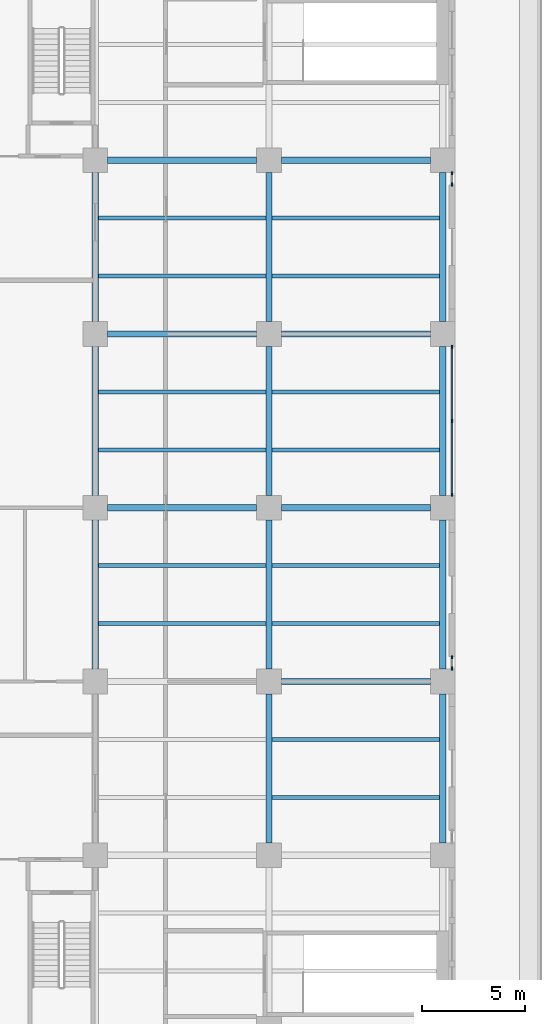
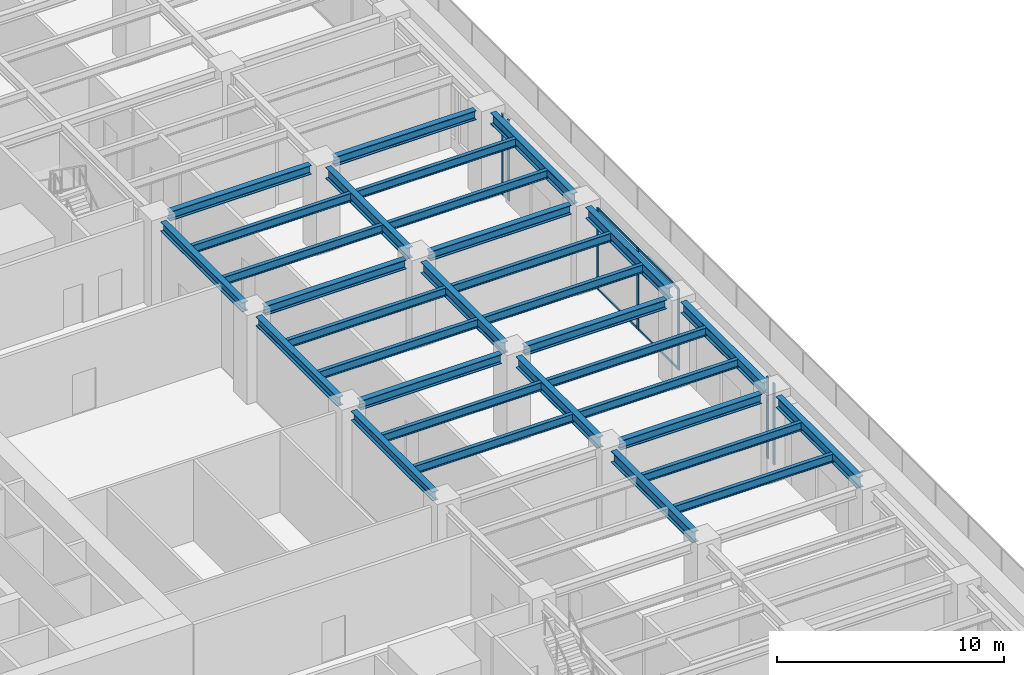
# One storey, part 10 of 53: 32 beams, 11 members, 3 elements without a shape of their own.
"""IFC4 building model written with IfcOpenShell, lengths in metres."""

from ifc_helpers import new_model, si_unit, direction, frame, origin, origin_2d, place, context, subcontext, project, spatial, rectangle, i_section, extrude, material, material_profile, profile_set, type_object, element, aggregate, save


model = new_model("IFC4")

# Units and contexts
model_context = context("Model", 3, precision=1e-05, world=origin(), true_north=direction((0.0, 1.0)))
body_context = subcontext(model_context, "Body", "Model", "MODEL_VIEW")
ifc_project = project(units=[si_unit("LENGTHUNIT", "METRE"), si_unit("AREAUNIT", "SQUARE_METRE"), si_unit("VOLUMEUNIT", "CUBIC_METRE"), si_unit("PLANEANGLEUNIT", "RADIAN"), si_unit("MASSUNIT", "GRAM", prefix="KILO")], contexts=[model_context])

# Site, building, storey
site_placement = place(None, origin())
site = spatial("IfcSite", under=ifc_project, at=site_placement, CompositionType="ELEMENT")
building_placement = place(site_placement, origin())
building = spatial("IfcBuilding", under=site, at=building_placement, Name="Khepri Terraces", CompositionType="ELEMENT")
storey_placement = place(building_placement, frame((0.0, 0.0, 7.199951171875)))
storey = spatial("IfcBuildingStorey", under=building, at=storey_placement, Name="L01", CompositionType="ELEMENT", Elevation=7.199951171875)

# Curtain wall, members
ifc_material_1 = material(Name="Anodised aluminium bronze curtain wall", Category="aluminium")
curtain_wall_type = type_object("IfcCurtainWallType", Name="CW-SYS2-PODIUM", PredefinedType="NOTDEFINED", material=ifc_material_1)
curtain_wall_1_placement = place(storey_placement, origin())
curtain_wall_1 = element("IfcCurtainWall", 1, at=curtain_wall_1_placement, inside=storey, type_object=curtain_wall_type, Name="Curtain wall CW2 L01 E", PredefinedType="NOTDEFINED")
ifc_material_2 = material(Name="Anodised aluminium bronze", Category="aluminium")
ifc_material_profile_1 = material_profile(ifc_material_2, rectangle(XDim=0.06005859375, YDim=0.159912109375, at=origin_2d()), Name="Anodised aluminium bronze", Category="aluminium")
ifc_profile_set_1 = profile_set([ifc_material_profile_1], Name="Anodised aluminium bronze")
member_type_1 = type_object("IfcMemberType", Name="CW-MULLION-60x160", PredefinedType="MULLION", material=ifc_profile_set_1)
member_1_placement = place(storey_placement, frame((42.449951171875, -7.77001953125, 0.0), z_axis=(0.0, 0.0, 1.0), x_axis=(-1.0, 0.0, 0.0)))
member_1 = element("IfcMember", 2, at=member_1_placement, type_object=member_type_1, Name="CW2 mullion 1", PredefinedType="MULLION", context=body_context, shape_type="SweptSolid", body=[
    extrude(rectangle(XDim=0.06005859375, YDim=0.159912109375, at=origin_2d()), origin(), (0.0, 0.0, 1.0), 4.380126953125),
])
member_2_placement = place(storey_placement, frame((42.449951171875, -7.22998046875, 0.0), z_axis=(0.0, 0.0, 1.0), x_axis=(-1.0, 0.0, 0.0)))
member_2 = element("IfcMember", 3, at=member_2_placement, type_object=member_type_1, Name="CW2 mullion 2", PredefinedType="MULLION", context=body_context, shape_type="SweptSolid", body=[
    extrude(rectangle(XDim=0.06005859375, YDim=0.159912109375, at=origin_2d()), origin(), (0.0, 0.0, 1.0), 4.380126953125),
])
aggregate(curtain_wall_1, [member_1, member_2])

curtain_wall_2_placement = place(storey_placement, origin())
curtain_wall_2 = element("IfcCurtainWall", 4, at=curtain_wall_2_placement, inside=storey, type_object=curtain_wall_type, Name="Curtain wall CW2 L01 E", PredefinedType="NOTDEFINED")
member_3_placement = place(storey_placement, frame((42.449951171875, 0.6298828125, 0.0), z_axis=(0.0, 0.0, 1.0), x_axis=(-1.0, 0.0, 0.0)))
member_3 = element("IfcMember", 5, at=member_3_placement, type_object=member_type_1, Name="CW2 mullion 1", PredefinedType="MULLION", context=body_context, shape_type="SweptSolid", body=[
    extrude(rectangle(XDim=0.06005859375, YDim=0.159912109375, at=origin_2d()), origin(), (0.0, 0.0, 1.0), 4.380126953125),
])
member_4_placement = place(storey_placement, frame((42.449951171875, 4.199951171875, 0.0), z_axis=(0.0, 0.0, 1.0), x_axis=(-1.0, 0.0, 0.0)))
member_4 = element("IfcMember", 6, at=member_4_placement, type_object=member_type_1, Name="CW2 mullion 2", PredefinedType="MULLION", context=body_context, shape_type="SweptSolid", body=[
    extrude(rectangle(XDim=0.06005859375, YDim=0.159912109375, at=origin_2d()), origin(), (0.0, 0.0, 1.0), 4.380126953125),
])
member_5_placement = place(storey_placement, frame((42.449951171875, 7.77001953125, 0.0), z_axis=(0.0, 0.0, 1.0), x_axis=(-1.0, 0.0, 0.0)))
member_5 = element("IfcMember", 7, at=member_5_placement, type_object=member_type_1, Name="CW2 mullion 3", PredefinedType="MULLION", context=body_context, shape_type="SweptSolid", body=[
    extrude(rectangle(XDim=0.06005859375, YDim=0.159912109375, at=origin_2d()), origin(), (0.0, 0.0, 1.0), 4.380126953125),
])

curtain_wall_3_placement = place(storey_placement, origin())
curtain_wall_3 = element("IfcCurtainWall", 8, at=curtain_wall_3_placement, inside=storey, type_object=curtain_wall_type, Name="Curtain wall CW2 L01 E", PredefinedType="NOTDEFINED")
member_6_placement = place(storey_placement, frame((42.449951171875, 15.6298828125, 0.0), z_axis=(0.0, 0.0, 1.0), x_axis=(-1.0, 0.0, 0.0)))
member_6 = element("IfcMember", 9, at=member_6_placement, type_object=member_type_1, Name="CW2 mullion 1", PredefinedType="MULLION", context=body_context, shape_type="SweptSolid", body=[
    extrude(rectangle(XDim=0.06005859375, YDim=0.159912109375, at=origin_2d()), origin(), (0.0, 0.0, 1.0), 4.380126953125),
])
member_7_placement = place(storey_placement, frame((42.449951171875, 16.169921875, 0.0), z_axis=(0.0, 0.0, 1.0), x_axis=(-1.0, 0.0, 0.0)))
member_7 = element("IfcMember", 10, at=member_7_placement, type_object=member_type_1, Name="CW2 mullion 2", PredefinedType="MULLION", context=body_context, shape_type="SweptSolid", body=[
    extrude(rectangle(XDim=0.06005859375, YDim=0.159912109375, at=origin_2d()), origin(), (0.0, 0.0, 1.0), 4.380126953125),
])
aggregate(curtain_wall_3, [member_6, member_7])

# Member
ifc_material_profile_2 = material_profile(ifc_material_2, rectangle(XDim=0.06005859375, YDim=0.1201171875, at=origin_2d()), Name="Anodised aluminium bronze", Category="aluminium")
ifc_profile_set_2 = profile_set([ifc_material_profile_2], Name="Anodised aluminium bronze")
member_type_2 = type_object("IfcMemberType", Name="CW-TRANSOM-60x120", PredefinedType="USERDEFINED", material=ifc_profile_set_2)
member_8_placement = place(storey_placement, frame((42.449951171875, 0.659912109375, 0.030029296875), z_axis=(0.0, 1.0, 0.0), x_axis=(-1.0, 0.0, 0.0)))
member_8 = element("IfcMember", 11, at=member_8_placement, type_object=member_type_2, Name="CW2 transom 1.1", ObjectType="TRANSOM", PredefinedType="USERDEFINED", context=body_context, shape_type="SweptSolid", body=[
    extrude(rectangle(XDim=0.06005859375, YDim=0.1201171875, at=origin_2d()), origin(), (0.0, 0.0, 1.0), 3.510009765625),
])

member_9_placement = place(storey_placement, frame((42.449951171875, 0.659912109375, 4.35009765625), z_axis=(0.0, 1.0, 0.0), x_axis=(-1.0, 0.0, 0.0)))
member_9 = element("IfcMember", 12, at=member_9_placement, type_object=member_type_2, Name="CW2 transom 1.2", ObjectType="TRANSOM", PredefinedType="USERDEFINED", context=body_context, shape_type="SweptSolid", body=[
    extrude(rectangle(XDim=0.06005859375, YDim=0.1201171875, at=origin_2d()), origin(), (0.0, 0.0, 1.0), 3.510009765625),
])

member_10_placement = place(storey_placement, frame((42.449951171875, 4.22998046875, 0.030029296875), z_axis=(0.0, 1.0, 0.0), x_axis=(-1.0, 0.0, 0.0)))
member_10 = element("IfcMember", 13, at=member_10_placement, type_object=member_type_2, Name="CW2 transom 2.1", ObjectType="TRANSOM", PredefinedType="USERDEFINED", context=body_context, shape_type="SweptSolid", body=[
    extrude(rectangle(XDim=0.06005859375, YDim=0.1201171875, at=origin_2d()), origin(), (0.0, 0.0, 1.0), 3.510009765625),
])

member_11_placement = place(storey_placement, frame((42.449951171875, 4.22998046875, 4.35009765625), z_axis=(0.0, 1.0, 0.0), x_axis=(-1.0, 0.0, 0.0)))
member_11 = element("IfcMember", 14, at=member_11_placement, type_object=member_type_2, Name="CW2 transom 2.2", ObjectType="TRANSOM", PredefinedType="USERDEFINED", context=body_context, shape_type="SweptSolid", body=[
    extrude(rectangle(XDim=0.06005859375, YDim=0.1201171875, at=origin_2d()), origin(), (0.0, 0.0, 1.0), 3.510009765625),
])

aggregate(curtain_wall_2, [member_3, member_4, member_5, member_8, member_9, member_10, member_11])

# Beams
ifc_material_3 = material(Name="Steel S355", Category="steel")
ifc_material_profile_3 = material_profile(ifc_material_3, i_section(OverallWidth=0.300048828125, OverallDepth=0.60009765625, WebThickness=0.015380859375, FlangeThickness=0.030029296875, FilletRadius=0.027099609375, at=origin_2d()), Name="Steel S355", Category="steel")
ifc_profile_set_3 = profile_set([ifc_material_profile_3], Name="Steel S355")
beam_type_1 = type_object("IfcBeamType", Name="Podium girder L02 HEB 600", PredefinedType="BEAM", material=ifc_profile_set_3)
for number, where, z_axis, x_axis, name in (
    (15, (33.60009765625, -16.199951171875, 4.300048828125), (0.0, 1.0, 0.0), (-1.0, 0.0, 0.0), "Podium girder L02 060"),
    (16, (33.60009765625, -7.800048828125, 4.300048828125), (0.0, 1.0, 0.0), (-1.0, 0.0, 0.0), "Podium girder L02 061"),
    (17, (33.60009765625, 0.60009765625, 4.300048828125), (0.0, 1.0, 0.0), (-1.0, 0.0, 0.0), "Podium girder L02 062"),
    (18, (33.60009765625, 9.0, 4.300048828125), (0.0, 1.0, 0.0), (-1.0, 0.0, 0.0), "Podium girder L02 063"),
    (19, (42.0, -16.199951171875, 4.300048828125), (0.0, 1.0, 0.0), (-1.0, 0.0, 0.0), "Podium girder L02 070"),
    (20, (42.0, -7.800048828125, 4.300048828125), (0.0, 1.0, 0.0), (-1.0, 0.0, 0.0), "Podium girder L02 071"),
    (21, (42.0, 0.60009765625, 4.300048828125), (0.0, 1.0, 0.0), (-1.0, 0.0, 0.0), "Podium girder L02 072"),
    (22, (42.0, 9.0, 4.300048828125), (0.0, 1.0, 0.0), (-1.0, 0.0, 0.0), "Podium girder L02 073"),
):
    element("IfcBeam", number, at=place(storey_placement, frame(where, z_axis=z_axis, x_axis=x_axis)), inside=storey, type_object=beam_type_1, Name=name, PredefinedType="BEAM", context=body_context, shape_type="SweptSolid", body=[
        extrude(i_section(OverallWidth=0.300048828125, OverallDepth=0.60009765625, WebThickness=0.015380859375, FlangeThickness=0.030029296875, FilletRadius=0.027099609375, at=origin_2d()), origin(), (0.0, 0.0, 1.0), 7.199951171875),
    ])
ifc_material_profile_4 = material_profile(ifc_material_3, i_section(OverallWidth=0.300048828125, OverallDepth=0.5, WebThickness=0.014404296875, FlangeThickness=0.028076171875, FilletRadius=0.027099609375, at=origin_2d()), Name="Steel S355", Category="steel")
ifc_profile_set_4 = profile_set([ifc_material_profile_4], Name="Steel S355")
beam_type_2 = type_object("IfcBeamType", Name="Podium girder L02 grid line HEB 500", PredefinedType="BEAM", material=ifc_profile_set_4)
for number, where, z_axis, x_axis, name in (
    (23, (34.199951171875, -8.39990234375, 4.35009765625), (1.0, 0.0, 0.0), (0.0, 1.0, 0.0), "Podium grid-line girder L02 092"),
    (24, (25.800048828125, 0.0, 4.35009765625), (1.0, 0.0, 0.0), (0.0, 1.0, 0.0), "Podium grid-line girder L02 103"),
    (25, (34.199951171875, 0.0, 4.35009765625), (1.0, 0.0, 0.0), (0.0, 1.0, 0.0), "Podium grid-line girder L02 104"),
    (26, (25.800048828125, 8.39990234375, 4.35009765625), (1.0, 0.0, 0.0), (0.0, 1.0, 0.0), "Podium grid-line girder L02 115"),
    (27, (34.199951171875, 8.39990234375, 4.35009765625), (1.0, 0.0, 0.0), (0.0, 1.0, 0.0), "Podium grid-line girder L02 116"),
    (28, (25.800048828125, 16.800048828125, 4.35009765625), (1.0, 0.0, 0.0), (0.0, 1.0, 0.0), "Podium grid-line girder L02 127"),
    (29, (34.199951171875, 16.800048828125, 4.35009765625), (1.0, 0.0, 0.0), (0.0, 1.0, 0.0), "Podium grid-line girder L02 128"),
):
    element("IfcBeam", number, at=place(storey_placement, frame(where, z_axis=z_axis, x_axis=x_axis)), inside=storey, type_object=beam_type_2, Name=name, PredefinedType="BEAM", context=body_context, shape_type="SweptSolid", body=[
        extrude(i_section(OverallWidth=0.300048828125, OverallDepth=0.5, WebThickness=0.014404296875, FlangeThickness=0.028076171875, FilletRadius=0.027099609375, at=origin_2d()), origin(), (0.0, 0.0, 1.0), 7.199951171875),
    ])
ifc_material_profile_5 = material_profile(ifc_material_3, i_section(OverallWidth=0.18994140625, OverallDepth=0.449951171875, WebThickness=0.009521484375, FlangeThickness=0.0146484375, FilletRadius=0.02099609375, at=origin_2d()), Name="Steel S355", Category="steel")
ifc_profile_set_5 = profile_set([ifc_material_profile_5], Name="Steel S355")
beam_type_3 = type_object("IfcBeamType", Name="Podium joist L02 IPE 450", PredefinedType="JOIST", material=ifc_profile_set_5)
for number, where, z_axis, x_axis, name in (
    (30, (33.75, -14.0, 4.375), (1.0, 0.0, 0.0), (0.0, 1.0, 0.0), "Podium joist L02 084"),
    (31, (33.75, -11.199951171875, 4.375), (1.0, 0.0, 0.0), (0.0, 1.0, 0.0), "Podium joist L02 088"),
):
    element("IfcBeam", number, at=place(storey_placement, frame(where, z_axis=z_axis, x_axis=x_axis)), inside=storey, type_object=beam_type_3, Name=name, PredefinedType="JOIST", context=body_context, shape_type="SweptSolid", body=[
        extrude(i_section(OverallWidth=0.18994140625, OverallDepth=0.449951171875, WebThickness=0.009521484375, FlangeThickness=0.0146484375, FilletRadius=0.02099609375, at=origin_2d()), origin(), (0.0, 0.0, 1.0), 8.10009765625),
    ])
beam_1_placement = place(storey_placement, frame((25.35009765625, -5.60009765625, 4.375), z_axis=(1.0, 0.0, 0.0), x_axis=(0.0, 1.0, 0.0)))
element("IfcBeam", 32, at=beam_1_placement, inside=storey, type_object=beam_type_3, Name="Podium joist L02 095", PredefinedType="JOIST", context=body_context, shape_type="SweptSolid", body=[
    extrude(i_section(OverallWidth=0.18994140625, OverallDepth=0.449951171875, WebThickness=0.009521484375, FlangeThickness=0.0146484375, FilletRadius=0.02099609375, at=origin_2d()), origin(), (0.0, 0.0, 1.0), 8.099853515625),
])
beam_2_placement = place(storey_placement, frame((33.75, -5.60009765625, 4.375), z_axis=(1.0, 0.0, 0.0), x_axis=(0.0, 1.0, 0.0)))
element("IfcBeam", 33, at=beam_2_placement, inside=storey, type_object=beam_type_3, Name="Podium joist L02 096", PredefinedType="JOIST", context=body_context, shape_type="SweptSolid", body=[
    extrude(i_section(OverallWidth=0.18994140625, OverallDepth=0.449951171875, WebThickness=0.009521484375, FlangeThickness=0.0146484375, FilletRadius=0.02099609375, at=origin_2d()), origin(), (0.0, 0.0, 1.0), 8.10009765625),
])
beam_3_placement = place(storey_placement, frame((25.35009765625, -2.800048828125, 4.375), z_axis=(1.0, 0.0, 0.0), x_axis=(0.0, 1.0, 0.0)))
element("IfcBeam", 34, at=beam_3_placement, inside=storey, type_object=beam_type_3, Name="Podium joist L02 099", PredefinedType="JOIST", context=body_context, shape_type="SweptSolid", body=[
    extrude(i_section(OverallWidth=0.18994140625, OverallDepth=0.449951171875, WebThickness=0.009521484375, FlangeThickness=0.0146484375, FilletRadius=0.02099609375, at=origin_2d()), origin(), (0.0, 0.0, 1.0), 8.099853515625),
])
beam_4_placement = place(storey_placement, frame((33.75, -2.800048828125, 4.375), z_axis=(1.0, 0.0, 0.0), x_axis=(0.0, 1.0, 0.0)))
element("IfcBeam", 35, at=beam_4_placement, inside=storey, type_object=beam_type_3, Name="Podium joist L02 100", PredefinedType="JOIST", context=body_context, shape_type="SweptSolid", body=[
    extrude(i_section(OverallWidth=0.18994140625, OverallDepth=0.449951171875, WebThickness=0.009521484375, FlangeThickness=0.0146484375, FilletRadius=0.02099609375, at=origin_2d()), origin(), (0.0, 0.0, 1.0), 8.10009765625),
])
beam_5_placement = place(storey_placement, frame((25.35009765625, 2.800048828125, 4.375), z_axis=(1.0, 0.0, 0.0), x_axis=(0.0, 1.0, 0.0)))
element("IfcBeam", 36, at=beam_5_placement, inside=storey, type_object=beam_type_3, Name="Podium joist L02 107", PredefinedType="JOIST", context=body_context, shape_type="SweptSolid", body=[
    extrude(i_section(OverallWidth=0.18994140625, OverallDepth=0.449951171875, WebThickness=0.009521484375, FlangeThickness=0.0146484375, FilletRadius=0.02099609375, at=origin_2d()), origin(), (0.0, 0.0, 1.0), 8.099853515625),
])
beam_6_placement = place(storey_placement, frame((33.75, 2.800048828125, 4.375), z_axis=(1.0, 0.0, 0.0), x_axis=(0.0, 1.0, 0.0)))
element("IfcBeam", 37, at=beam_6_placement, inside=storey, type_object=beam_type_3, Name="Podium joist L02 108", PredefinedType="JOIST", context=body_context, shape_type="SweptSolid", body=[
    extrude(i_section(OverallWidth=0.18994140625, OverallDepth=0.449951171875, WebThickness=0.009521484375, FlangeThickness=0.0146484375, FilletRadius=0.02099609375, at=origin_2d()), origin(), (0.0, 0.0, 1.0), 8.10009765625),
])
beam_7_placement = place(storey_placement, frame((25.35009765625, 5.60009765625, 4.375), z_axis=(1.0, 0.0, 0.0), x_axis=(0.0, 1.0, 0.0)))
element("IfcBeam", 38, at=beam_7_placement, inside=storey, type_object=beam_type_3, Name="Podium joist L02 111", PredefinedType="JOIST", context=body_context, shape_type="SweptSolid", body=[
    extrude(i_section(OverallWidth=0.18994140625, OverallDepth=0.449951171875, WebThickness=0.009521484375, FlangeThickness=0.0146484375, FilletRadius=0.02099609375, at=origin_2d()), origin(), (0.0, 0.0, 1.0), 8.099853515625),
])
beam_8_placement = place(storey_placement, frame((33.75, 5.60009765625, 4.375), z_axis=(1.0, 0.0, 0.0), x_axis=(0.0, 1.0, 0.0)))
element("IfcBeam", 39, at=beam_8_placement, inside=storey, type_object=beam_type_3, Name="Podium joist L02 112", PredefinedType="JOIST", context=body_context, shape_type="SweptSolid", body=[
    extrude(i_section(OverallWidth=0.18994140625, OverallDepth=0.449951171875, WebThickness=0.009521484375, FlangeThickness=0.0146484375, FilletRadius=0.02099609375, at=origin_2d()), origin(), (0.0, 0.0, 1.0), 8.10009765625),
])
beam_9_placement = place(storey_placement, frame((25.35009765625, 11.199951171875, 4.375), z_axis=(1.0, 0.0, 0.0), x_axis=(0.0, 1.0, 0.0)))
element("IfcBeam", 40, at=beam_9_placement, inside=storey, type_object=beam_type_3, Name="Podium joist L02 119", PredefinedType="JOIST", context=body_context, shape_type="SweptSolid", body=[
    extrude(i_section(OverallWidth=0.18994140625, OverallDepth=0.449951171875, WebThickness=0.009521484375, FlangeThickness=0.0146484375, FilletRadius=0.02099609375, at=origin_2d()), origin(), (0.0, 0.0, 1.0), 8.099853515625),
])
beam_10_placement = place(storey_placement, frame((33.75, 11.199951171875, 4.375), z_axis=(1.0, 0.0, 0.0), x_axis=(0.0, 1.0, 0.0)))
element("IfcBeam", 41, at=beam_10_placement, inside=storey, type_object=beam_type_3, Name="Podium joist L02 120", PredefinedType="JOIST", context=body_context, shape_type="SweptSolid", body=[
    extrude(i_section(OverallWidth=0.18994140625, OverallDepth=0.449951171875, WebThickness=0.009521484375, FlangeThickness=0.0146484375, FilletRadius=0.02099609375, at=origin_2d()), origin(), (0.0, 0.0, 1.0), 8.10009765625),
])
beam_11_placement = place(storey_placement, frame((25.35009765625, 14.0, 4.375), z_axis=(1.0, 0.0, 0.0), x_axis=(0.0, 1.0, 0.0)))
element("IfcBeam", 42, at=beam_11_placement, inside=storey, type_object=beam_type_3, Name="Podium joist L02 123", PredefinedType="JOIST", context=body_context, shape_type="SweptSolid", body=[
    extrude(i_section(OverallWidth=0.18994140625, OverallDepth=0.449951171875, WebThickness=0.009521484375, FlangeThickness=0.0146484375, FilletRadius=0.02099609375, at=origin_2d()), origin(), (0.0, 0.0, 1.0), 8.099853515625),
])
beam_12_placement = place(storey_placement, frame((33.75, 14.0, 4.375), z_axis=(1.0, 0.0, 0.0), x_axis=(0.0, 1.0, 0.0)))
element("IfcBeam", 43, at=beam_12_placement, inside=storey, type_object=beam_type_3, Name="Podium joist L02 124", PredefinedType="JOIST", context=body_context, shape_type="SweptSolid", body=[
    extrude(i_section(OverallWidth=0.18994140625, OverallDepth=0.449951171875, WebThickness=0.009521484375, FlangeThickness=0.0146484375, FilletRadius=0.02099609375, at=origin_2d()), origin(), (0.0, 0.0, 1.0), 8.10009765625),
])
ifc_material_profile_6 = material_profile(ifc_material_3, i_section(OverallWidth=0.300048828125, OverallDepth=0.5, WebThickness=0.014404296875, FlangeThickness=0.028076171875, FilletRadius=0.027099609375, at=origin_2d()), Name="Steel S355", Category="steel")
ifc_profile_set_6 = profile_set([ifc_material_profile_6], Name="Steel S355")
beam_type_4 = type_object("IfcBeamType", Name="Tower ring beam HEB 500", PredefinedType="BEAM", material=ifc_profile_set_6)
for number, where, z_axis, x_axis, name in (
    (44, (25.199951171875, -7.800048828125, 4.35009765625), (0.0, 1.0, 0.0), (-1.0, 0.0, 0.0), "Ring beam L02 052"),
    (45, (25.199951171875, 0.60009765625, 4.35009765625), (0.0, 1.0, 0.0), (-1.0, 0.0, 0.0), "Ring beam L02 053"),
    (46, (25.199951171875, 9.0, 4.35009765625), (0.0, 1.0, 0.0), (-1.0, 0.0, 0.0), "Ring beam L02 054"),
):
    element("IfcBeam", number, at=place(storey_placement, frame(where, z_axis=z_axis, x_axis=x_axis)), inside=storey, type_object=beam_type_4, Name=name, PredefinedType="BEAM", context=body_context, shape_type="SweptSolid", body=[
        extrude(i_section(OverallWidth=0.300048828125, OverallDepth=0.5, WebThickness=0.014404296875, FlangeThickness=0.028076171875, FilletRadius=0.027099609375, at=origin_2d()), origin(), (0.0, 0.0, 1.0), 7.199951171875),
    ])

save(model, "model.ifc")
